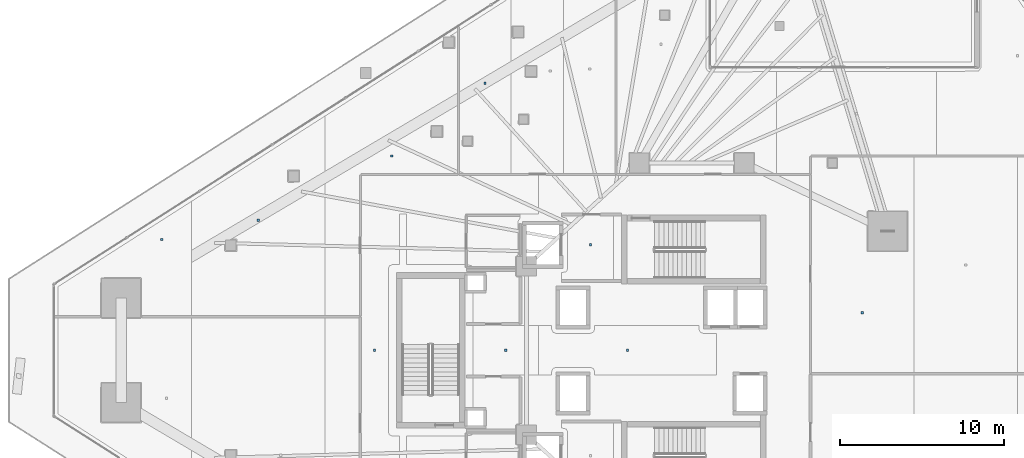
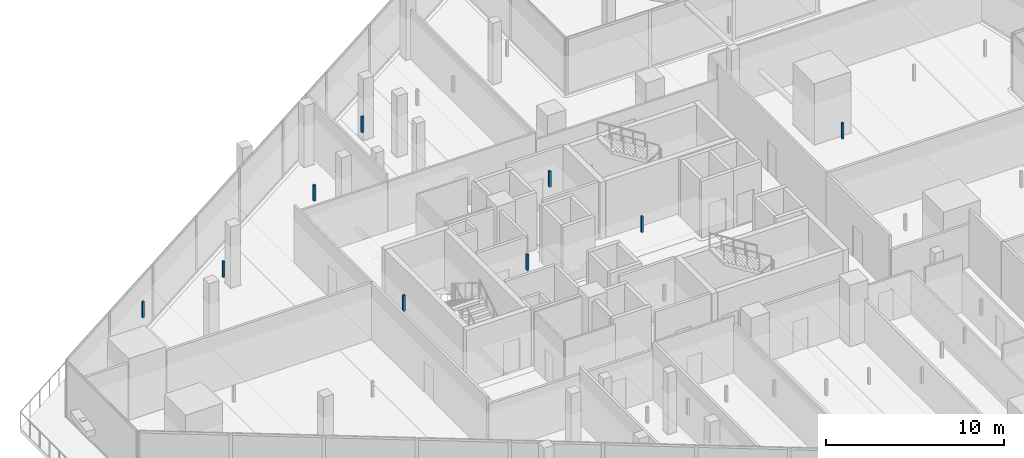
# One storey, part 33 of 44: 9 discrete accessories.
"""IFC4 building model written with IfcOpenShell, lengths in metres."""

from ifc_helpers import new_model, si_unit, direction, frame, origin, origin_2d, place, context, subcontext, project, spatial, rectangle, extrude, material, type_object, element, save


model = new_model("IFC4")

# Units and contexts
model_context = context("Model", 3, precision=1e-05, world=origin(), true_north=direction((0.0, 1.0)))
body_context = subcontext(model_context, "Body", "Model", "MODEL_VIEW")
ifc_project = project(units=[si_unit("LENGTHUNIT", "METRE"), si_unit("AREAUNIT", "SQUARE_METRE"), si_unit("VOLUMEUNIT", "CUBIC_METRE"), si_unit("PLANEANGLEUNIT", "RADIAN"), si_unit("MASSUNIT", "GRAM", prefix="KILO")], contexts=[model_context])

# Site, building, storey
site_placement = place(None, origin())
site = spatial("IfcSite", under=ifc_project, at=site_placement, CompositionType="ELEMENT")
building_placement = place(site_placement, origin())
building = spatial("IfcBuilding", under=site, at=building_placement, Name="Qorvath Tower", CompositionType="ELEMENT")
storey_placement = place(building_placement, frame((0.0, 0.0, 78.60009765625)))
storey = spatial("IfcBuildingStorey", under=building, at=storey_placement, Name="L17", CompositionType="ELEMENT", Elevation=78.60009765625)

# Discrete accessories
ifc_material = material(Name="Galvanised steel bracket", Category="steel")
discrete_accessory_type = type_object("IfcDiscreteAccessoryType", Name="DA-BRACKET", PredefinedType="BRACKET", material=ifc_material)
for number, where, z_axis, x_axis, name in (
    (1, (-26.590087890625, 6.449951171875, 2.85986328125), (0.0, 0.0, 1.0), (1.0, 0.0, 0.0), "Acoustic Ceiling Suspension Hanger T1-L17-001"),
    (2, (-39.797607421875, 0.0, 2.85986328125), (0.0, 0.0, 1.0), (1.0, 0.0, 0.0), "Acoustic Ceiling Suspension Hanger T1-L17-007"),
    (3, (-31.762451171875, 0.0, 2.85986328125), (0.0, 0.0, 1.0), (1.0, 0.0, 0.0), "Acoustic Ceiling Suspension Hanger T1-L17-008"),
    (4, (-24.324951171875, 0.0, 2.85986328125), (0.0, 0.0, 1.0), (1.0, 0.0, 0.0), "Acoustic Ceiling Suspension Hanger T1-L17-009"),
    (5, (-33.0439453125, 16.328369140625, 2.85986328125), (0.0, 0.0, 1.0), (1.0, 0.0, 0.0), "Acoustic Ceiling Suspension Hanger T1-L17-010"),
    (6, (-9.9755859375, 2.302734375, 2.85986328125), (0.0, 0.0, 1.0), (1.0, 0.0, 0.0), "Acoustic Ceiling Suspension Hanger T1-L17-034"),
    (7, (-52.80078125, 6.780029296875, 2.85986328125), (0.0, 0.0, 1.0), (1.0, 0.0, 0.0), "Acoustic Ceiling Suspension Hanger T1-L17-040"),
    (8, (-46.90185546875, 7.94873046875, 2.85986328125), (0.0, 0.0, 1.0), (1.0, 0.0, 0.0), "Acoustic Ceiling Suspension Hanger T1-L17-041"),
    (9, (-38.74267578125, 11.87939453125, 2.85986328125), (0.0, 0.0, 1.0), (1.0, 0.0, 0.0), "Acoustic Ceiling Suspension Hanger T1-L17-042"),
):
    element("IfcDiscreteAccessory", number, at=place(storey_placement, frame(where, z_axis=z_axis, x_axis=x_axis)), inside=storey, type_object=discrete_accessory_type, Name=name, PredefinedType="NOTDEFINED", context=body_context, shape_type="SweptSolid", body=[
        extrude(rectangle(XDim=0.139892578125, YDim=0.139892578125, at=origin_2d()), origin(), (0.0, 0.0, 1.0), 1.090087890625),
    ])

save(model, "model.ifc")
